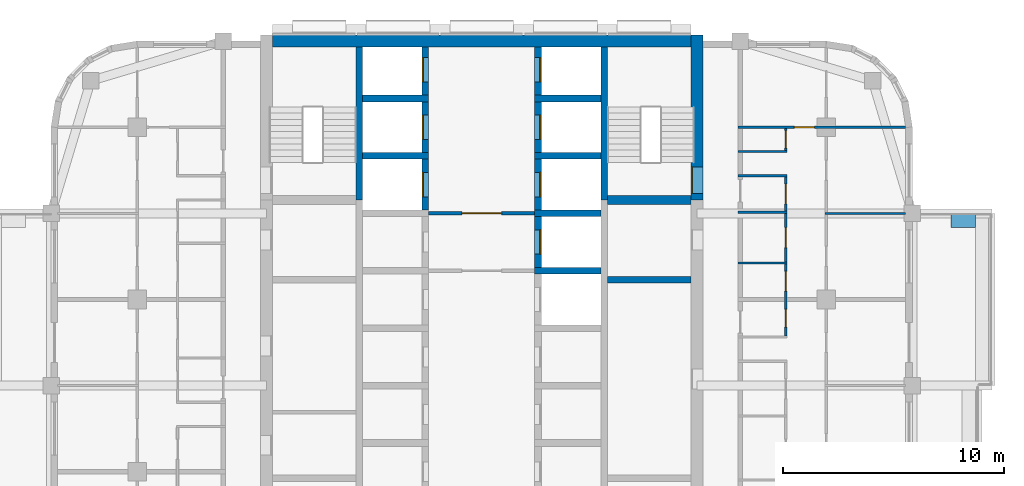
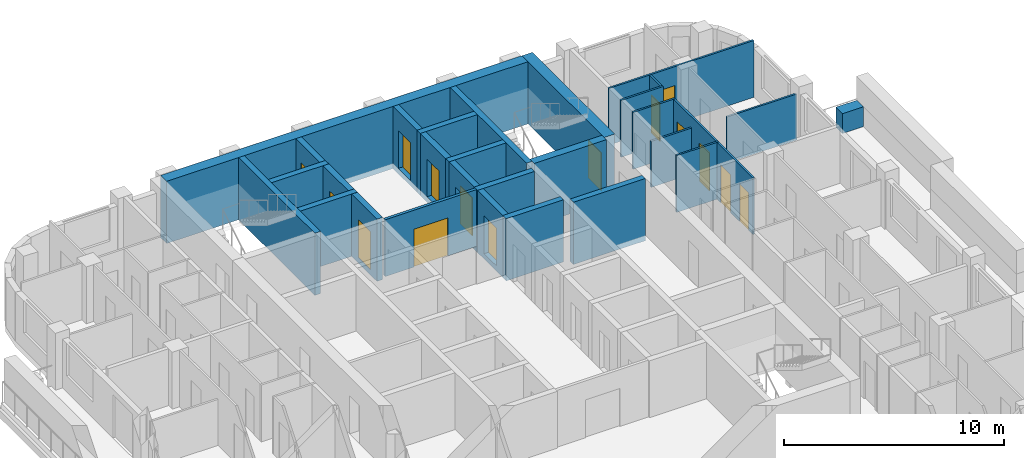
# One storey, part 8 of 13: 29 walls, 15 doors, 15 openings.
"""IFC4 building model written with IfcOpenShell, lengths in metres."""

import ifcopenshell
import ifcopenshell.guid

model = None  # the IFC model being written
_history = None  # IfcOwnerHistory: only IFC2X3 demands one
_inside = {}  # id of a spatial element -> (the spatial element, [elements in it])
_under = {}  # id of a project, library or spatial element -> (it, [spatial elements below it])
_declared = {}  # id of a project -> (the project, [libraries it declares])
_typed = {}  # id of a type object -> (the type object, [elements of that type])
_made_of = {}  # id of a material, layer set ... -> (it, [elements and type objects made of it])


def new_model(schema):
    """Start an empty IFC model of exactly this schema.

    Asked for "IFC4X3", IfcOpenShell would pick the latest addendum, in which some entities
    have other attributes; the version numbers below select the first issue.
    IFC2X3 requires an IfcOwnerHistory on every rooted entity: one is made here for all.
    """
    global model, _history
    if schema == "IFC4X3":
        model = ifcopenshell.file(schema_version=(4, 3, 0, 0))
    else:
        model = ifcopenshell.file(schema=schema)
    _inside.clear()
    _under.clear()
    _declared.clear()
    _typed.clear()
    _made_of.clear()
    _history = None
    if model.schema == "IFC2X3":
        org = make("IfcOrganization", Name="unknown")
        user = make(
            "IfcPersonAndOrganization",
            ThePerson=make("IfcPerson", FamilyName="unknown"),
            TheOrganization=org,
        )
        app = make(
            "IfcApplication",
            ApplicationDeveloper=org,
            Version="unknown",
            ApplicationFullName="unknown",
            ApplicationIdentifier="unknown",
        )
        _history = make(
            "IfcOwnerHistory",
            OwningUser=user,
            OwningApplication=app,
            ChangeAction="ADDED",
            CreationDate=0,
        )
    return model


def make(cls, **values):
    """One entity of the class cls with the attributes given. An attribute that is None is left unset."""
    return model.create_entity(
        cls, **{name: value for name, value in values.items() if value is not None}
    )


def rooted(cls, **values):
    """An entity with a GlobalId (a new one), such as an element, a storey or a relation."""
    return make(cls, GlobalId=ifcopenshell.guid.new(), OwnerHistory=_history, **values)


def si_unit(unit_type, name, prefix=None):
    """IfcSIUnit, for example si_unit("LENGTHUNIT", "METRE", prefix="MILLI")."""
    return make("IfcSIUnit", UnitType=unit_type, Prefix=prefix, Name=name)


def assignment(units):
    """IfcUnitAssignment: the units of a project."""
    return None if units is None else make("IfcUnitAssignment", Units=units)


def point(xyz):
    """IfcCartesianPoint."""
    return None if xyz is None else make("IfcCartesianPoint", Coordinates=xyz)


def direction(xyz):
    """IfcDirection."""
    return None if xyz is None else make("IfcDirection", DirectionRatios=xyz)


def frame(location, z_axis=None, x_axis=None):
    """IfcAxis2Placement3D, a coordinate frame: its origin and axes. An axis left out is left unset."""
    return make(
        "IfcAxis2Placement3D",
        Location=point(location),
        Axis=direction(z_axis),
        RefDirection=direction(x_axis),
    )


def frame_2d(location, x_axis=None):
    """IfcAxis2Placement2D, a coordinate frame in the plane: its origin and x axis."""
    return make(
        "IfcAxis2Placement2D", Location=point(location), RefDirection=direction(x_axis)
    )


def origin():
    """The frame at (0, 0, 0) with its axes left unset."""
    return frame((0.0, 0.0, 0.0))


def place(relative_to, where):
    """IfcLocalPlacement: puts the frame where relative to a parent placement (None: the world)."""
    return make(
        "IfcLocalPlacement", PlacementRelTo=relative_to, RelativePlacement=where
    )


def context(
    kind, dimensions, precision=None, world=None, true_north=None, identifier=None
):
    """IfcGeometricRepresentationContext, for example the 3D "Model" context."""
    return make(
        "IfcGeometricRepresentationContext",
        ContextIdentifier=identifier,
        ContextType=kind,
        CoordinateSpaceDimension=dimensions,
        Precision=precision,
        WorldCoordinateSystem=world,
        TrueNorth=true_north,
    )


def subcontext(parent, identifier, kind, view, scale=None):
    """IfcGeometricRepresentationSubContext, for example "Body" below "Model"."""
    return make(
        "IfcGeometricRepresentationSubContext",
        ContextIdentifier=identifier,
        ContextType=kind,
        ParentContext=parent,
        TargetScale=scale,
        TargetView=view,
    )


def project(units=None, contexts=None):
    """IfcProject with its units and contexts."""
    return rooted(
        "IfcProject",
        Name="project",
        RepresentationContexts=contexts,
        UnitsInContext=assignment(units),
    )


def spatial(cls, under=None, at=None, **own):
    """A site, building, storey or space (cls), placed at a placement, below another one or the project."""
    s = rooted(cls, ObjectPlacement=at, **own)
    if under is not None:
        _under.setdefault(under.id(), (under, []))[1].append(s)
    return s


def profile(cls, at=None, kind="AREA", **sizes):
    """A parametric profile (cls). Its sizes go by their IFC names, for example OverallWidth=200.0."""
    return make(cls, ProfileType=kind, Position=at, **sizes)


def rectangle(**sizes):
    """IfcRectangleProfileDef."""
    return profile("IfcRectangleProfileDef", **sizes)


def extrude(swept, where, along, depth):
    """IfcExtrudedAreaSolid: the profile swept, set in the frame where, extruded along a direction by depth."""
    return make(
        "IfcExtrudedAreaSolid",
        SweptArea=swept,
        Position=where,
        ExtrudedDirection=direction(along),
        Depth=depth,
    )


def shape(context_of_items, identifier, shape_type, items):
    """IfcShapeRepresentation: the items that make up one representation, for example the "Body"."""
    return make(
        "IfcShapeRepresentation",
        ContextOfItems=context_of_items,
        RepresentationIdentifier=identifier,
        RepresentationType=shape_type,
        Items=items,
    )


def material(Name=None, Category=None):
    """IfcMaterial."""
    return make("IfcMaterial", Name=Name, Category=Category)


def layer(
    of_material, thickness, ventilated=None, Name=None, Category=None, Priority=None
):
    """IfcMaterialLayer: one layer of a wall or slab, of a material (None: an air gap)."""
    return make(
        "IfcMaterialLayer",
        Material=of_material,
        LayerThickness=thickness,
        IsVentilated=ventilated,
        Name=Name,
        Category=Category,
        Priority=Priority,
    )


def layer_set(layers, Name=None):
    """IfcMaterialLayerSet."""
    return make("IfcMaterialLayerSet", MaterialLayers=layers, LayerSetName=Name)


def made_of(thing, what):
    """Note that an element or type object is made of a material, layer set ...; save() writes the relation."""
    if what is not None:
        _made_of.setdefault(what.id(), (what, []))[1].append(thing)
    return thing


def type_object(cls, material=None, **own):
    """A type object (cls), such as IfcWallType, which elements share."""
    return made_of(rooted(cls, **own), material)


def element(
    cls,
    number,
    at=None,
    inside=None,
    cuts=None,
    type_object=None,
    material=None,
    context=None,
    identifier="Body",
    shape_type=None,
    held_by="IfcProductDefinitionShape",
    body=None,
    shapes=None,
    **own,
):
    """One element of the class cls, such as IfcWall. Its Tag is "e" and its number.

    at: its placement. inside: the storey or other place that contains it. cuts: it is an
    opening in that element (IfcRelVoidsElement). A single representation is given by context,
    identifier, shape_type and body (its items); several are given by shapes. held_by: the class
    of the entity that holds the representations. save() writes the other relations.
    """
    e = rooted(cls, Tag="e%d" % number, ObjectPlacement=at, **own)
    if body is not None:
        shapes = [shape(context, identifier, shape_type, body)]
    if shapes is not None:
        e.Representation = make(held_by, Representations=shapes)
    if inside is not None:
        _inside.setdefault(inside.id(), (inside, []))[1].append(e)
    if cuts is not None:
        rooted(
            "IfcRelVoidsElement", RelatingBuildingElement=cuts, RelatedOpeningElement=e
        )
    if type_object is not None:
        _typed.setdefault(type_object.id(), (type_object, []))[1].append(e)
    return made_of(e, material)


def fill(opening, filler):
    """IfcRelFillsElement: the door or window that sits in an opening."""
    return rooted(
        "IfcRelFillsElement",
        RelatingOpeningElement=opening,
        RelatedBuildingElement=filler,
    )


def aggregate(whole, parts):
    """IfcRelAggregates: a whole, such as a stair, and the parts it consists of."""
    return rooted("IfcRelAggregates", RelatingObject=whole, RelatedObjects=parts)


def save(model, path):
    """Write the relations noted so far, then the file.

    IfcRelAggregates (storeys below a building ...), IfcRelContainedInSpatialStructure (elements
    in a storey), IfcRelDefinesByType, IfcRelAssociatesMaterial and IfcRelDeclares: one each for
    every whole, place, type object, material and project.
    """
    for whole, parts in _under.values():
        aggregate(whole, parts)
    for where, things in _inside.values():
        rooted(
            "IfcRelContainedInSpatialStructure",
            RelatedElements=things,
            RelatingStructure=where,
        )
    for kind, things in _typed.values():
        rooted("IfcRelDefinesByType", RelatedObjects=things, RelatingType=kind)
    for what, things in _made_of.values():
        rooted("IfcRelAssociatesMaterial", RelatedObjects=things, RelatingMaterial=what)
    for by, libraries in _declared.values():
        rooted("IfcRelDeclares", RelatingContext=by, RelatedDefinitions=libraries)
    model.write(path)


model = new_model("IFC4")

# Units and contexts
model_context = context("Model", 3, precision=1e-05, world=origin(), true_north=direction((0.0, 1.0)))
body_context = subcontext(model_context, "Body", "Model", "MODEL_VIEW")
ifc_project = project(units=[si_unit("LENGTHUNIT", "METRE"), si_unit("AREAUNIT", "SQUARE_METRE"), si_unit("VOLUMEUNIT", "CUBIC_METRE"), si_unit("PLANEANGLEUNIT", "RADIAN"), si_unit("MASSUNIT", "GRAM", prefix="KILO")], contexts=[model_context])

# Site, building, storey
site_placement = place(None, origin())
site = spatial("IfcSite", under=ifc_project, at=site_placement, CompositionType="ELEMENT")
building_placement = place(site_placement, origin())
building = spatial("IfcBuilding", under=site, at=building_placement, Name="Ludao Terraces", CompositionType="ELEMENT")
storey_placement = place(building_placement, frame((0.0, 0.0, 179.199951171875)))
storey = spatial("IfcBuildingStorey", under=building, at=storey_placement, Name="L48", CompositionType="ELEMENT", Elevation=179.199951171875)

# Wall, opening, door
ifc_material_1 = material(Name="Concrete C60", Category="concrete")
ifc_layer_1 = layer(ifc_material_1, 0.550048828125)
ifc_layer_set_1 = layer_set([ifc_layer_1], Name="Core wall 550 C60")
wall_type_1 = type_object("IfcWallType", Name="Core wall 550 C60", PredefinedType="SOLIDWALL", material=ifc_layer_set_1)
wall_1_placement = place(storey_placement, frame((94.75, 77.300048828125, -0.300048828125), z_axis=(0.0, 0.0, 1.0), x_axis=(0.0, 1.0, 0.0)))
wall_1 = element("IfcWall", 1, at=wall_1_placement, inside=storey, type_object=wall_type_1, Name="Core wall L48 outer-E-S2", PredefinedType="SOLIDWALL", context=body_context, shape_type="SweptSolid", body=[
    extrude(rectangle(XDim=7.474853515625, YDim=0.550048828125, at=frame_2d((3.7373046875, 0.0))), origin(), (0.0, 0.0, 1.0), 3.4501953125),
])
opening_1_placement = place(wall_1_placement, frame((0.300048828125, 0.0, 0.300048828125)))
opening_1 = element("IfcOpeningElement", 2, at=opening_1_placement, cuts=wall_1, Name="Opening R17-076", PredefinedType="OPENING", context=body_context, shape_type="SweptSolid", body=[
    extrude(rectangle(XDim=1.199951171875, YDim=2.10009765625, at=frame_2d((0.60009765625, 1.050048828125))), frame((0.0, 0.28515625, 0.0), z_axis=(0.0, -1.0, 0.0), x_axis=(1.0, 0.0, 0.0)), (0.0, 0.0, 1.0), 0.570068359375),
])
ifc_material_2 = material(Name="Steel Q235", Category="steel")
door_type_1 = type_object("IfcDoorType", Name="INT Stair door 1200", OperationType="DOUBLE_DOOR_SINGLE_SWING", PredefinedType="DOOR", material=ifc_material_2)
door_1_placement = place(opening_1_placement, origin())
door_1 = element("IfcDoor", 3, at=door_1_placement, inside=storey, type_object=door_type_1, Name="DOOR 076", OperationType="DOUBLE_DOOR_SINGLE_SWING", OverallHeight=2.10009765625, OverallWidth=1.199951171875, PredefinedType="DOOR", context=body_context, shape_type="SweptSolid", body=[
    extrude(rectangle(XDim=1.199951171875, YDim=2.10009765625, at=frame_2d((0.60009765625, 1.050048828125))), frame((0.0, 0.26025390625, 0.0), z_axis=(0.0, -1.0, 0.0), x_axis=(1.0, 0.0, 0.0)), (0.0, 0.0, 1.0), 0.050048828125),
])
fill(opening_1, door_1)

# Walls
wall_2_placement = place(storey_placement, frame((75.52490234375, 84.5, -0.300048828125), z_axis=(0.0, 0.0, 1.0), x_axis=(1.0, 0.0, 0.0)))
element("IfcWall", 4, at=wall_2_placement, inside=storey, type_object=wall_type_1, Name="Core wall L48 outer-N", PredefinedType="SOLIDWALL", context=body_context, shape_type="SweptSolid", body=[
    extrude(rectangle(XDim=18.9501953125, YDim=0.550048828125, at=frame_2d((9.47509765625, 0.0))), origin(), (0.0, 0.0, 1.0), 3.4501953125),
])
ifc_material_3 = material(Name="Concrete C40", Category="concrete")
ifc_layer_2 = layer(ifc_material_3, 0.60009765625)
ifc_layer_set_2 = layer_set([ifc_layer_2], Name="ENV Planter trough 600")
wall_type_2 = type_object("IfcWallType", Name="ENV Planter trough 600", PredefinedType="USERDEFINED", material=ifc_layer_set_2)
wall_3_placement = place(storey_placement, frame((107.35009765625, 76.35009765625, 0.0), z_axis=(0.0, 0.0, 1.0), x_axis=(-1.0, 0.0, 0.0)))
element("IfcWall", 5, at=wall_3_placement, inside=storey, type_object=wall_type_2, Name="PL-L48-E3-SB", ObjectType="PLANTER", PredefinedType="USERDEFINED", context=body_context, shape_type="SweptSolid", body=[
    extrude(rectangle(XDim=1.10009765625, YDim=0.60009765625, at=frame_2d((0.550048828125, 0.0))), origin(), (0.0, 0.0, 1.0), 1.10009765625),
])

# Wall, opening, door
ifc_material_4 = material(Name="Fire-rated gypsum plasterboard", Category="gypsum")
ifc_layer_3 = layer(ifc_material_4, 0.012451171875, Category="gypsum")
ifc_material_5 = material(Name="Mineral wool")
ifc_layer_4 = layer(ifc_material_5, 0.10009765625, Name="insulation")
ifc_layer_5 = layer(ifc_material_2, 0.02490234375, Name="stud")
ifc_layer_6 = layer(ifc_material_4, 0.012451171875, Category="gypsum")
ifc_layer_set_3 = layer_set([ifc_layer_3, ifc_layer_4, ifc_layer_5, ifc_layer_6], Name="INT Core partition 150")
wall_type_3 = type_object("IfcWallType", Name="INT Core partition 150", PredefinedType="PARTITIONING", material=ifc_layer_set_3)
wall_4_placement = place(storey_placement, frame((82.60009765625, 76.699951171875, 0.0), z_axis=(0.0, 0.0, 1.0), x_axis=(1.0, 0.0, 0.0)))
wall_4 = element("IfcWall", 6, at=wall_4_placement, inside=storey, type_object=wall_type_3, Name="PW-L48-PW037", PredefinedType="PARTITIONING", context=body_context, shape_type="SweptSolid", body=[
    extrude(rectangle(XDim=4.800048828125, YDim=0.14990234375, at=frame_2d((2.39990234375, 0.0))), origin(), (0.0, 0.0, 1.0), 3.150146484375),
])
opening_2_placement = place(wall_4_placement, frame((1.5, 0.0, 0.0)))
opening_2 = element("IfcOpeningElement", 7, at=opening_2_placement, cuts=wall_4, Name="Opening R17-070", PredefinedType="OPENING", context=body_context, shape_type="SweptSolid", body=[
    extrude(rectangle(XDim=1.800048828125, YDim=2.10009765625, at=frame_2d((0.89990234375, 1.050048828125))), frame((0.0, 0.0849609375, 0.0), z_axis=(0.0, -1.0, 0.0), x_axis=(1.0, 0.0, 0.0)), (0.0, 0.0, 1.0), 0.169921875),
])
door_type_2 = type_object("IfcDoorType", Name="INT Fire lobby door 1800", OperationType="DOUBLE_DOOR_SINGLE_SWING", PredefinedType="DOOR", material=ifc_material_2)
door_2_placement = place(opening_2_placement, origin())
door_2 = element("IfcDoor", 8, at=door_2_placement, inside=storey, type_object=door_type_2, Name="DOOR 070", OperationType="DOUBLE_DOOR_SINGLE_SWING", OverallHeight=2.10009765625, OverallWidth=1.800048828125, PredefinedType="DOOR", context=body_context, shape_type="SweptSolid", body=[
    extrude(rectangle(XDim=1.800048828125, YDim=2.10009765625, at=frame_2d((0.89990234375, 1.050048828125))), frame((0.0, 0.02490234375, 0.0), z_axis=(0.0, -1.0, 0.0), x_axis=(1.0, 0.0, 0.0)), (0.0, 0.0, 1.0), 0.050048828125),
])
fill(opening_2, door_2)

# Walls
ifc_material_6 = material(Name="Gypsum plasterboard", Category="gypsum")
ifc_layer_7 = layer(ifc_material_6, 0.012451171875, Category="gypsum")
ifc_layer_8 = layer(ifc_material_5, 0.06005859375, Name="insulation")
ifc_layer_9 = layer(ifc_material_2, 0.014892578125, Name="stud")
ifc_layer_10 = layer(ifc_material_6, 0.012451171875, Category="gypsum")
ifc_layer_set_4 = layer_set([ifc_layer_7, ifc_layer_8, ifc_layer_9, ifc_layer_10], Name="INT Partition 100")
wall_type_4 = type_object("IfcWallType", Name="INT Partition 100", PredefinedType="PARTITIONING", material=ifc_layer_set_4)
wall_5_placement = place(storey_placement, frame((96.60009765625, 74.449951171875, 0.0), z_axis=(0.0, 0.0, 1.0), x_axis=(1.0, 0.0, 0.0)))
element("IfcWall", 9, at=wall_5_placement, inside=storey, type_object=wall_type_4, Name="PW-L48-PW034", PredefinedType="PARTITIONING", context=body_context, shape_type="SweptSolid", body=[
    extrude(rectangle(XDim=2.219970703125, YDim=0.10009765625, at=frame_2d((1.10986328125, 0.0))), origin(), (0.0, 0.0, 1.0), 3.150146484375),
])
wall_6_placement = place(storey_placement, frame((100.550048828125, 76.699951171875, 0.0), z_axis=(0.0, 0.0, 1.0), x_axis=(1.0, 0.0, 0.0)))
element("IfcWall", 10, at=wall_6_placement, inside=storey, type_object=wall_type_4, Name="PW-L48-PW038", PredefinedType="PARTITIONING", context=body_context, shape_type="SweptSolid", body=[
    extrude(rectangle(XDim=3.650146484375, YDim=0.10009765625, at=frame_2d((1.8251953125, 0.0))), origin(), (0.0, 0.0, 1.0), 2.550048828125),
])
wall_7_placement = place(storey_placement, frame((96.60009765625, 76.75, 0.0), z_axis=(0.0, 0.0, 1.0), x_axis=(1.0, 0.0, 0.0)))
element("IfcWall", 11, at=wall_7_placement, inside=storey, type_object=wall_type_4, Name="PW-L48-PW039", PredefinedType="PARTITIONING", context=body_context, shape_type="SweptSolid", body=[
    extrude(rectangle(XDim=2.219970703125, YDim=0.10009765625, at=frame_2d((1.10986328125, 0.0))), origin(), (0.0, 0.0, 1.0), 2.550048828125),
])
for number, where, z_axis, x_axis, name in (
    (12, (96.60009765625, 78.39990234375, 0.0), (0.0, 0.0, 1.0), (1.0, 0.0, 0.0), "PW-L48-PW042"),
    (13, (96.60009765625, 79.5, 0.0), (0.0, 0.0, 1.0), (1.0, 0.0, 0.0), "PW-L48-PW043"),
):
    element("IfcWall", number, at=place(storey_placement, frame(where, z_axis=z_axis, x_axis=x_axis)), inside=storey, type_object=wall_type_4, Name=name, PredefinedType="PARTITIONING", context=body_context, shape_type="SweptSolid", body=[
        extrude(rectangle(XDim=2.219970703125, YDim=0.10009765625, at=frame_2d((1.10986328125, 0.0))), origin(), (0.0, 0.0, 1.0), 3.150146484375),
    ])

# Wall, opening, door
wall_8_placement = place(storey_placement, frame((96.60009765625, 80.60009765625, 0.0), z_axis=(0.0, 0.0, 1.0), x_axis=(1.0, 0.0, 0.0)))
wall_8 = element("IfcWall", 14, at=wall_8_placement, inside=storey, type_object=wall_type_4, Name="PW-L48-PW045", PredefinedType="PARTITIONING", context=body_context, shape_type="SweptSolid", body=[
    extrude(rectangle(XDim=7.60009765625, YDim=0.10009765625, at=frame_2d((3.800048828125, 0.0))), origin(), (0.0, 0.0, 1.0), 3.150146484375),
])
opening_3_placement = place(wall_8_placement, frame((2.56005859375, 0.0, 0.0)))
opening_3 = element("IfcOpeningElement", 15, at=opening_3_placement, cuts=wall_8, Name="Opening R17-085", PredefinedType="OPENING", context=body_context, shape_type="SweptSolid", body=[
    extrude(rectangle(XDim=0.89990234375, YDim=2.10009765625, at=frame_2d((0.449951171875, 1.050048828125))), frame((0.0, 0.06005859375, 0.0), z_axis=(0.0, -1.0, 0.0), x_axis=(1.0, 0.0, 0.0)), (0.0, 0.0, 1.0), 0.1201171875),
])
ifc_material_7 = material(Name="Timber door leaf", Category="wood")
door_type_3 = type_object("IfcDoorType", Name="INT Room door 900", OperationType="SINGLE_SWING_LEFT", PredefinedType="DOOR", material=ifc_material_7)
door_3_placement = place(opening_3_placement, origin())
door_3 = element("IfcDoor", 16, at=door_3_placement, inside=storey, type_object=door_type_3, Name="DOOR 085", OperationType="SINGLE_SWING_RIGHT", OverallHeight=2.10009765625, OverallWidth=0.89990234375, PredefinedType="DOOR", context=body_context, shape_type="SweptSolid", body=[
    extrude(rectangle(XDim=0.89990234375, YDim=2.10009765625, at=frame_2d((0.449951171875, 1.050048828125))), frame((0.0, 0.02490234375, 0.0), z_axis=(0.0, -1.0, 0.0), x_axis=(1.0, 0.0, 0.0)), (0.0, 0.0, 1.0), 0.050048828125),
])
fill(opening_3, door_3)

# Wall, openings, doors
wall_9_placement = place(storey_placement, frame((98.77001953125, 71.150146484375, 0.0), z_axis=(0.0, 0.0, 1.0), x_axis=(0.0, 1.0, 0.0)))
wall_9 = element("IfcWall", 17, at=wall_9_placement, inside=storey, type_object=wall_type_4, Name="PW-L48-PW059", PredefinedType="PARTITIONING", context=body_context, shape_type="SweptSolid", body=[
    extrude(rectangle(XDim=7.199951171875, YDim=0.10009765625, at=frame_2d((3.60009765625, 0.0))), origin(), (0.0, 0.0, 1.0), 3.150146484375),
])
opening_4_placement = place(wall_9_placement, frame((0.39990234375, 0.0, 0.0)))
opening_4 = element("IfcOpeningElement", 18, at=opening_4_placement, cuts=wall_9, Name="Opening R17-056", PredefinedType="OPENING", context=body_context, shape_type="SweptSolid", body=[
    extrude(rectangle(XDim=0.800048828125, YDim=2.10009765625, at=frame_2d((0.39990234375, 1.050048828125))), frame((0.0, 0.06005859375, 0.0), z_axis=(0.0, -1.0, 0.0), x_axis=(1.0, 0.0, 0.0)), (0.0, 0.0, 1.0), 0.1201171875),
])
opening_5_placement = place(wall_9_placement, frame((2.02490234375, 0.0, 0.0)))
opening_5 = element("IfcOpeningElement", 19, at=opening_5_placement, cuts=wall_9, Name="Opening R17-059", PredefinedType="OPENING", context=body_context, shape_type="SweptSolid", body=[
    extrude(rectangle(XDim=0.89990234375, YDim=2.10009765625, at=frame_2d((0.449951171875, 1.050048828125))), frame((0.0, 0.06005859375, 0.0), z_axis=(0.0, -1.0, 0.0), x_axis=(1.0, 0.0, 0.0)), (0.0, 0.0, 1.0), 0.1201171875),
])
opening_6_placement = place(wall_9_placement, frame((4.0, 0.0, 0.0)))
opening_6 = element("IfcOpeningElement", 20, at=opening_6_placement, cuts=wall_9, Name="Opening R17-068", PredefinedType="OPENING", context=body_context, shape_type="SweptSolid", body=[
    extrude(rectangle(XDim=0.89990234375, YDim=2.10009765625, at=frame_2d((0.449951171875, 1.050048828125))), frame((0.0, 0.06005859375, 0.0), z_axis=(0.0, -1.0, 0.0), x_axis=(1.0, 0.0, 0.0)), (0.0, 0.0, 1.0), 0.1201171875),
])
opening_7_placement = place(wall_9_placement, frame((5.97509765625, 0.0, 0.0)))
opening_7 = element("IfcOpeningElement", 21, at=opening_7_placement, cuts=wall_9, Name="Opening R17-071", PredefinedType="OPENING", context=body_context, shape_type="SweptSolid", body=[
    extrude(rectangle(XDim=0.89990234375, YDim=2.10009765625, at=frame_2d((0.449951171875, 1.050048828125))), frame((0.0, 0.06005859375, 0.0), z_axis=(0.0, -1.0, 0.0), x_axis=(1.0, 0.0, 0.0)), (0.0, 0.0, 1.0), 0.1201171875),
])
door_type_4 = type_object("IfcDoorType", Name="INT Bathroom door 900", OperationType="SINGLE_SWING_LEFT", PredefinedType="DOOR", material=ifc_material_7)
door_4_placement = place(opening_5_placement, origin())
door_4 = element("IfcDoor", 22, at=door_4_placement, inside=storey, type_object=door_type_4, Name="DOOR 059", OperationType="SINGLE_SWING_LEFT", OverallHeight=2.10009765625, OverallWidth=0.89990234375, PredefinedType="DOOR", context=body_context, shape_type="SweptSolid", body=[
    extrude(rectangle(XDim=0.89990234375, YDim=2.10009765625, at=frame_2d((0.449951171875, 1.050048828125))), frame((0.0, 0.02490234375, 0.0), z_axis=(0.0, -1.0, 0.0), x_axis=(1.0, 0.0, 0.0)), (0.0, 0.0, 1.0), 0.050048828125),
])
fill(opening_5, door_4)
door_5_placement = place(opening_7_placement, origin())
door_5 = element("IfcDoor", 23, at=door_5_placement, inside=storey, type_object=door_type_4, Name="DOOR 071", OperationType="SINGLE_SWING_RIGHT", OverallHeight=2.10009765625, OverallWidth=0.89990234375, PredefinedType="DOOR", context=body_context, shape_type="SweptSolid", body=[
    extrude(rectangle(XDim=0.89990234375, YDim=2.10009765625, at=frame_2d((0.449951171875, 1.050048828125))), frame((0.0, 0.02490234375, 0.0), z_axis=(0.0, -1.0, 0.0), x_axis=(1.0, 0.0, 0.0)), (0.0, 0.0, 1.0), 0.050048828125),
])
fill(opening_7, door_5)
door_6_placement = place(opening_6_placement, origin())
door_6 = element("IfcDoor", 24, at=door_6_placement, inside=storey, type_object=door_type_3, Name="DOOR 068", OperationType="SINGLE_SWING_RIGHT", OverallHeight=2.10009765625, OverallWidth=0.89990234375, PredefinedType="DOOR", context=body_context, shape_type="SweptSolid", body=[
    extrude(rectangle(XDim=0.89990234375, YDim=2.10009765625, at=frame_2d((0.449951171875, 1.050048828125))), frame((0.0, 0.02490234375, 0.0), z_axis=(0.0, -1.0, 0.0), x_axis=(1.0, 0.0, 0.0)), (0.0, 0.0, 1.0), 0.050048828125),
])
fill(opening_6, door_6)
door_type_5 = type_object("IfcDoorType", Name="INT Store door 800", OperationType="SINGLE_SWING_LEFT", PredefinedType="DOOR", material=ifc_material_7)
door_7_placement = place(opening_4_placement, origin())
door_7 = element("IfcDoor", 25, at=door_7_placement, inside=storey, type_object=door_type_5, Name="DOOR 056", OperationType="SINGLE_SWING_LEFT", OverallHeight=2.10009765625, OverallWidth=0.800048828125, PredefinedType="DOOR", context=body_context, shape_type="SweptSolid", body=[
    extrude(rectangle(XDim=0.800048828125, YDim=2.10009765625, at=frame_2d((0.39990234375, 1.050048828125))), frame((0.0, 0.02490234375, 0.0), z_axis=(0.0, -1.0, 0.0), x_axis=(1.0, 0.0, 0.0)), (0.0, 0.0, 1.0), 0.050048828125),
])
fill(opening_4, door_7)

# Wall, opening, door
wall_10_placement = place(storey_placement, frame((98.77001953125, 79.550048828125, 0.0), z_axis=(0.0, 0.0, 1.0), x_axis=(0.0, 1.0, 0.0)))
wall_10 = element("IfcWall", 26, at=wall_10_placement, inside=storey, type_object=wall_type_4, Name="PW-L48-PW060", PredefinedType="PARTITIONING", context=body_context, shape_type="SweptSolid", body=[
    extrude(rectangle(XDim=1.0, YDim=0.10009765625, at=frame_2d((0.5, 0.0))), origin(), (0.0, 0.0, 1.0), 3.150146484375),
])
opening_8_placement = place(wall_10_placement, frame((0.10009765625, 0.0, 0.0)))
opening_8 = element("IfcOpeningElement", 27, at=opening_8_placement, cuts=wall_10, Name="Opening R17-081", PredefinedType="OPENING", context=body_context, shape_type="SweptSolid", body=[
    extrude(rectangle(XDim=0.800048828125, YDim=2.10009765625, at=frame_2d((0.39990234375, 1.050048828125))), frame((0.0, 0.06005859375, 0.0), z_axis=(0.0, -1.0, 0.0), x_axis=(1.0, 0.0, 0.0)), (0.0, 0.0, 1.0), 0.1201171875),
])
door_8_placement = place(opening_8_placement, origin())
door_8 = element("IfcDoor", 28, at=door_8_placement, inside=storey, type_object=door_type_5, Name="DOOR 081", OperationType="SINGLE_SWING_RIGHT", OverallHeight=2.10009765625, OverallWidth=0.800048828125, PredefinedType="DOOR", context=body_context, shape_type="SweptSolid", body=[
    extrude(rectangle(XDim=0.800048828125, YDim=2.10009765625, at=frame_2d((0.39990234375, 1.050048828125))), frame((0.0, 0.02490234375, 0.0), z_axis=(0.0, -1.0, 0.0), x_axis=(1.0, 0.0, 0.0)), (0.0, 0.0, 1.0), 0.050048828125),
])
fill(opening_8, door_8)

# Walls
ifc_material_8 = material(Name="Concrete C55", Category="concrete")
ifc_layer_11 = layer(ifc_material_8, 0.300048828125)
ifc_layer_set_5 = layer_set([ifc_layer_11], Name="Shaft wall 300 C55")
wall_type_5 = type_object("IfcWallType", Name="Shaft wall 300 C55", PredefinedType="SOLIDWALL", material=ifc_layer_set_5)
for number, where, z_axis, x_axis, name in (
    (29, (79.449951171875, 77.300048828125, -0.300048828125), (0.0, 0.0, 1.0), (0.0, 1.0, 0.0), "Core wall L48 back-W-S1"),
    (30, (90.550048828125, 77.300048828125, -0.300048828125), (0.0, 0.0, 1.0), (0.0, 1.0, 0.0), "Core wall L48 back-E-S2"),
):
    element("IfcWall", number, at=place(storey_placement, frame(where, z_axis=z_axis, x_axis=x_axis)), inside=storey, type_object=wall_type_5, Name=name, PredefinedType="SOLIDWALL", context=body_context, shape_type="SweptSolid", body=[
        extrude(rectangle(XDim=6.925048828125, YDim=0.300048828125, at=frame_2d((3.46240234375, 0.0))), origin(), (0.0, 0.0, 1.0), 3.4501953125),
    ])

# Wall, opening, door
wall_11_placement = place(storey_placement, frame((82.449951171875, 76.85009765625, -0.300048828125), z_axis=(0.0, 0.0, 1.0), x_axis=(0.0, 1.0, 0.0)))
wall_11 = element("IfcWall", 31, at=wall_11_placement, inside=storey, type_object=wall_type_5, Name="Core wall L48 front-W7", PredefinedType="SOLIDWALL", context=body_context, shape_type="SweptSolid", body=[
    extrude(rectangle(XDim=2.2998046875, YDim=0.300048828125, at=frame_2d((1.14990234375, 0.0))), origin(), (0.0, 0.0, 1.0), 3.4501953125),
])
opening_9_placement = place(wall_11_placement, frame((0.60009765625, 0.0, 0.300048828125)))
opening_9 = element("IfcOpeningElement", 32, at=opening_9_placement, cuts=wall_11, Name="Opening LD-FF1", PredefinedType="OPENING", context=body_context, shape_type="SweptSolid", body=[
    extrude(rectangle(XDim=1.10009765625, YDim=2.10009765625, at=frame_2d((0.550048828125, 1.050048828125))), frame((0.0, 0.16015625, 0.0), z_axis=(0.0, -1.0, 0.0), x_axis=(1.0, 0.0, 0.0)), (0.0, 0.0, 1.0), 0.320068359375),
])
ifc_material_9 = material(Name="Stainless steel 304", Category="steel")
door_type_6 = type_object("IfcDoorType", Name="INT Lift landing door 1100", OperationType="SLIDING_TO_LEFT", PredefinedType="DOOR", material=ifc_material_9)
door_9_placement = place(opening_9_placement, origin())
door_9 = element("IfcDoor", 33, at=door_9_placement, inside=storey, type_object=door_type_6, Name="LANDING DOOR FF1 L48", OperationType="SLIDING_TO_LEFT", OverallHeight=2.10009765625, OverallWidth=1.10009765625, PredefinedType="DOOR", context=body_context, shape_type="SweptSolid", body=[
    extrude(rectangle(XDim=1.10009765625, YDim=2.10009765625, at=frame_2d((0.550048828125, 1.050048828125))), frame((0.0, 0.13525390625, 0.0), z_axis=(0.0, -1.0, 0.0), x_axis=(1.0, 0.0, 0.0)), (0.0, 0.0, 1.0), 0.050048828125),
])
fill(opening_9, door_9)

# Wall
wall_12_placement = place(storey_placement, frame((79.60009765625, 79.300048828125, -0.300048828125), z_axis=(0.0, 0.0, 1.0), x_axis=(1.0, 0.0, 0.0)))
element("IfcWall", 34, at=wall_12_placement, inside=storey, type_object=wall_type_5, Name="Core wall L48 div-W8", PredefinedType="SOLIDWALL", context=body_context, shape_type="SweptSolid", body=[
    extrude(rectangle(XDim=3.0, YDim=0.300048828125, at=frame_2d((1.5, 0.0))), origin(), (0.0, 0.0, 1.0), 3.4501953125),
])

# Wall, opening, door
wall_13_placement = place(storey_placement, frame((82.449951171875, 79.449951171875, -0.300048828125), z_axis=(0.0, 0.0, 1.0), x_axis=(0.0, 1.0, 0.0)))
wall_13 = element("IfcWall", 35, at=wall_13_placement, inside=storey, type_object=wall_type_5, Name="Core wall L48 front-W8", PredefinedType="SOLIDWALL", context=body_context, shape_type="SweptSolid", body=[
    extrude(rectangle(XDim=2.300048828125, YDim=0.300048828125, at=frame_2d((1.14990234375, 0.0))), origin(), (0.0, 0.0, 1.0), 3.4501953125),
])
opening_10_placement = place(wall_13_placement, frame((0.60009765625, 0.0, 0.300048828125)))
opening_10 = element("IfcOpeningElement", 36, at=opening_10_placement, cuts=wall_13, Name="Opening LD-FF2", PredefinedType="OPENING", context=body_context, shape_type="SweptSolid", body=[
    extrude(rectangle(XDim=1.10009765625, YDim=2.10009765625, at=frame_2d((0.550048828125, 1.050048828125))), frame((0.0, 0.16015625, 0.0), z_axis=(0.0, -1.0, 0.0), x_axis=(1.0, 0.0, 0.0)), (0.0, 0.0, 1.0), 0.320068359375),
])
door_10_placement = place(opening_10_placement, origin())
door_10 = element("IfcDoor", 37, at=door_10_placement, inside=storey, type_object=door_type_6, Name="LANDING DOOR FF2 L48", OperationType="SLIDING_TO_LEFT", OverallHeight=2.10009765625, OverallWidth=1.10009765625, PredefinedType="DOOR", context=body_context, shape_type="SweptSolid", body=[
    extrude(rectangle(XDim=1.10009765625, YDim=2.10009765625, at=frame_2d((0.550048828125, 1.050048828125))), frame((0.0, 0.13525390625, 0.0), z_axis=(0.0, -1.0, 0.0), x_axis=(1.0, 0.0, 0.0)), (0.0, 0.0, 1.0), 0.050048828125),
])
fill(opening_10, door_10)

# Wall
wall_14_placement = place(storey_placement, frame((79.60009765625, 81.89990234375, -0.300048828125), z_axis=(0.0, 0.0, 1.0), x_axis=(1.0, 0.0, 0.0)))
element("IfcWall", 38, at=wall_14_placement, inside=storey, type_object=wall_type_5, Name="Core wall L48 div-W9", PredefinedType="SOLIDWALL", context=body_context, shape_type="SweptSolid", body=[
    extrude(rectangle(XDim=3.0, YDim=0.300048828125, at=frame_2d((1.5, 0.0))), origin(), (0.0, 0.0, 1.0), 3.4501953125),
])

# Wall, opening, door
wall_15_placement = place(storey_placement, frame((82.449951171875, 82.050048828125, -0.300048828125), z_axis=(0.0, 0.0, 1.0), x_axis=(0.0, 1.0, 0.0)))
wall_15 = element("IfcWall", 39, at=wall_15_placement, inside=storey, type_object=wall_type_5, Name="Core wall L48 front-W9", PredefinedType="SOLIDWALL", context=body_context, shape_type="SweptSolid", body=[
    extrude(rectangle(XDim=2.175048828125, YDim=0.300048828125, at=frame_2d((1.08740234375, 0.0))), origin(), (0.0, 0.0, 1.0), 3.4501953125),
])
opening_11_placement = place(wall_15_placement, frame((0.60009765625, 0.0, 0.300048828125)))
opening_11 = element("IfcOpeningElement", 40, at=opening_11_placement, cuts=wall_15, Name="Opening LD-LB6", PredefinedType="OPENING", context=body_context, shape_type="SweptSolid", body=[
    extrude(rectangle(XDim=1.10009765625, YDim=2.10009765625, at=frame_2d((0.550048828125, 1.050048828125))), frame((0.0, 0.16015625, 0.0), z_axis=(0.0, -1.0, 0.0), x_axis=(1.0, 0.0, 0.0)), (0.0, 0.0, 1.0), 0.320068359375),
])
door_11_placement = place(opening_11_placement, origin())
door_11 = element("IfcDoor", 41, at=door_11_placement, inside=storey, type_object=door_type_6, Name="LANDING DOOR LB6 L48", OperationType="SLIDING_TO_RIGHT", OverallHeight=2.10009765625, OverallWidth=1.10009765625, PredefinedType="DOOR", context=body_context, shape_type="SweptSolid", body=[
    extrude(rectangle(XDim=1.10009765625, YDim=2.10009765625, at=frame_2d((0.550048828125, 1.050048828125))), frame((0.0, 0.13525390625, 0.0), z_axis=(0.0, -1.0, 0.0), x_axis=(1.0, 0.0, 0.0)), (0.0, 0.0, 1.0), 0.050048828125),
])
fill(opening_11, door_11)

# Wall
wall_16_placement = place(storey_placement, frame((87.39990234375, 74.10009765625, -0.300048828125), z_axis=(0.0, 0.0, 1.0), x_axis=(1.0, 0.0, 0.0)))
element("IfcWall", 42, at=wall_16_placement, inside=storey, type_object=wall_type_5, Name="Core wall L48 div-E6", PredefinedType="SOLIDWALL", context=body_context, shape_type="SweptSolid", body=[
    extrude(rectangle(XDim=3.0, YDim=0.300048828125, at=frame_2d((1.5, 0.0))), origin(), (0.0, 0.0, 1.0), 3.4501953125),
])

# Wall, opening, door
wall_17_placement = place(storey_placement, frame((87.550048828125, 74.25, -0.300048828125), z_axis=(0.0, 0.0, 1.0), x_axis=(0.0, 1.0, 0.0)))
wall_17 = element("IfcWall", 43, at=wall_17_placement, inside=storey, type_object=wall_type_5, Name="Core wall L48 front-E6", PredefinedType="SOLIDWALL", context=body_context, shape_type="SweptSolid", body=[
    extrude(rectangle(XDim=2.300048828125, YDim=0.300048828125, at=frame_2d((1.14990234375, 0.0))), origin(), (0.0, 0.0, 1.0), 3.4501953125),
])
opening_12_placement = place(wall_17_placement, frame((0.60009765625, 0.0, 0.300048828125)))
opening_12 = element("IfcOpeningElement", 44, at=opening_12_placement, cuts=wall_17, Name="Opening LD-LB2", PredefinedType="OPENING", context=body_context, shape_type="SweptSolid", body=[
    extrude(rectangle(XDim=1.10009765625, YDim=2.10009765625, at=frame_2d((0.550048828125, 1.050048828125))), frame((0.0, 0.16015625, 0.0), z_axis=(0.0, -1.0, 0.0), x_axis=(1.0, 0.0, 0.0)), (0.0, 0.0, 1.0), 0.320068359375),
])
door_12_placement = place(opening_12_placement, origin())
door_12 = element("IfcDoor", 45, at=door_12_placement, inside=storey, type_object=door_type_6, Name="LANDING DOOR LB2 L48", OperationType="SLIDING_TO_LEFT", OverallHeight=2.10009765625, OverallWidth=1.10009765625, PredefinedType="DOOR", context=body_context, shape_type="SweptSolid", body=[
    extrude(rectangle(XDim=1.10009765625, YDim=2.10009765625, at=frame_2d((0.550048828125, 1.050048828125))), frame((0.0, -0.0849609375, 0.0), z_axis=(0.0, -1.0, 0.0), x_axis=(1.0, 0.0, 0.0)), (0.0, 0.0, 1.0), 0.050048828125),
])
fill(opening_12, door_12)

# Wall
wall_18_placement = place(storey_placement, frame((87.39990234375, 76.699951171875, -0.300048828125), z_axis=(0.0, 0.0, 1.0), x_axis=(1.0, 0.0, 0.0)))
element("IfcWall", 46, at=wall_18_placement, inside=storey, type_object=wall_type_5, Name="Core wall L48 div-E7", PredefinedType="SOLIDWALL", context=body_context, shape_type="SweptSolid", body=[
    extrude(rectangle(XDim=3.0, YDim=0.300048828125, at=frame_2d((1.5, 0.0))), origin(), (0.0, 0.0, 1.0), 3.4501953125),
])

# Wall, opening, door
wall_19_placement = place(storey_placement, frame((87.550048828125, 76.85009765625, -0.300048828125), z_axis=(0.0, 0.0, 1.0), x_axis=(0.0, 1.0, 0.0)))
wall_19 = element("IfcWall", 47, at=wall_19_placement, inside=storey, type_object=wall_type_5, Name="Core wall L48 front-E7", PredefinedType="SOLIDWALL", context=body_context, shape_type="SweptSolid", body=[
    extrude(rectangle(XDim=2.2998046875, YDim=0.300048828125, at=frame_2d((1.14990234375, 0.0))), origin(), (0.0, 0.0, 1.0), 3.4501953125),
])
opening_13_placement = place(wall_19_placement, frame((0.60009765625, 0.0, 0.300048828125)))
opening_13 = element("IfcOpeningElement", 48, at=opening_13_placement, cuts=wall_19, Name="Opening LD-LB3", PredefinedType="OPENING", context=body_context, shape_type="SweptSolid", body=[
    extrude(rectangle(XDim=1.10009765625, YDim=2.10009765625, at=frame_2d((0.550048828125, 1.050048828125))), frame((0.0, 0.16015625, 0.0), z_axis=(0.0, -1.0, 0.0), x_axis=(1.0, 0.0, 0.0)), (0.0, 0.0, 1.0), 0.320068359375),
])
door_13_placement = place(opening_13_placement, origin())
door_13 = element("IfcDoor", 49, at=door_13_placement, inside=storey, type_object=door_type_6, Name="LANDING DOOR LB3 L48", OperationType="SLIDING_TO_LEFT", OverallHeight=2.10009765625, OverallWidth=1.10009765625, PredefinedType="DOOR", context=body_context, shape_type="SweptSolid", body=[
    extrude(rectangle(XDim=1.10009765625, YDim=2.10009765625, at=frame_2d((0.550048828125, 1.050048828125))), frame((0.0, -0.0849609375, 0.0), z_axis=(0.0, -1.0, 0.0), x_axis=(1.0, 0.0, 0.0)), (0.0, 0.0, 1.0), 0.050048828125),
])
fill(opening_13, door_13)

# Wall
wall_20_placement = place(storey_placement, frame((87.39990234375, 79.300048828125, -0.300048828125), z_axis=(0.0, 0.0, 1.0), x_axis=(1.0, 0.0, 0.0)))
element("IfcWall", 50, at=wall_20_placement, inside=storey, type_object=wall_type_5, Name="Core wall L48 div-E8", PredefinedType="SOLIDWALL", context=body_context, shape_type="SweptSolid", body=[
    extrude(rectangle(XDim=3.0, YDim=0.300048828125, at=frame_2d((1.5, 0.0))), origin(), (0.0, 0.0, 1.0), 3.4501953125),
])

# Wall, opening, door
wall_21_placement = place(storey_placement, frame((87.550048828125, 79.449951171875, -0.300048828125), z_axis=(0.0, 0.0, 1.0), x_axis=(0.0, 1.0, 0.0)))
wall_21 = element("IfcWall", 51, at=wall_21_placement, inside=storey, type_object=wall_type_5, Name="Core wall L48 front-E8", PredefinedType="SOLIDWALL", context=body_context, shape_type="SweptSolid", body=[
    extrude(rectangle(XDim=2.300048828125, YDim=0.300048828125, at=frame_2d((1.14990234375, 0.0))), origin(), (0.0, 0.0, 1.0), 3.4501953125),
])
opening_14_placement = place(wall_21_placement, frame((0.60009765625, 0.0, 0.300048828125)))
opening_14 = element("IfcOpeningElement", 52, at=opening_14_placement, cuts=wall_21, Name="Opening LD-LB4", PredefinedType="OPENING", context=body_context, shape_type="SweptSolid", body=[
    extrude(rectangle(XDim=1.10009765625, YDim=2.10009765625, at=frame_2d((0.550048828125, 1.050048828125))), frame((0.0, 0.16015625, 0.0), z_axis=(0.0, -1.0, 0.0), x_axis=(1.0, 0.0, 0.0)), (0.0, 0.0, 1.0), 0.320068359375),
])
door_14_placement = place(opening_14_placement, origin())
door_14 = element("IfcDoor", 53, at=door_14_placement, inside=storey, type_object=door_type_6, Name="LANDING DOOR LB4 L48", OperationType="SLIDING_TO_RIGHT", OverallHeight=2.10009765625, OverallWidth=1.10009765625, PredefinedType="DOOR", context=body_context, shape_type="SweptSolid", body=[
    extrude(rectangle(XDim=1.10009765625, YDim=2.10009765625, at=frame_2d((0.550048828125, 1.050048828125))), frame((0.0, -0.0849609375, 0.0), z_axis=(0.0, -1.0, 0.0), x_axis=(1.0, 0.0, 0.0)), (0.0, 0.0, 1.0), 0.050048828125),
])
fill(opening_14, door_14)

# Wall
wall_22_placement = place(storey_placement, frame((87.39990234375, 81.89990234375, -0.300048828125), z_axis=(0.0, 0.0, 1.0), x_axis=(1.0, 0.0, 0.0)))
element("IfcWall", 54, at=wall_22_placement, inside=storey, type_object=wall_type_5, Name="Core wall L48 div-E9", PredefinedType="SOLIDWALL", context=body_context, shape_type="SweptSolid", body=[
    extrude(rectangle(XDim=3.0, YDim=0.300048828125, at=frame_2d((1.5, 0.0))), origin(), (0.0, 0.0, 1.0), 3.4501953125),
])

# Wall, opening, door
wall_23_placement = place(storey_placement, frame((87.550048828125, 82.050048828125, -0.300048828125), z_axis=(0.0, 0.0, 1.0), x_axis=(0.0, 1.0, 0.0)))
wall_23 = element("IfcWall", 55, at=wall_23_placement, inside=storey, type_object=wall_type_5, Name="Core wall L48 front-E9", PredefinedType="SOLIDWALL", context=body_context, shape_type="SweptSolid", body=[
    extrude(rectangle(XDim=2.175048828125, YDim=0.300048828125, at=frame_2d((1.08740234375, 0.0))), origin(), (0.0, 0.0, 1.0), 3.4501953125),
])
opening_15_placement = place(wall_23_placement, frame((0.60009765625, 0.0, 0.300048828125)))
opening_15 = element("IfcOpeningElement", 56, at=opening_15_placement, cuts=wall_23, Name="Opening LD-LB5", PredefinedType="OPENING", context=body_context, shape_type="SweptSolid", body=[
    extrude(rectangle(XDim=1.10009765625, YDim=2.10009765625, at=frame_2d((0.550048828125, 1.050048828125))), frame((0.0, 0.16015625, 0.0), z_axis=(0.0, -1.0, 0.0), x_axis=(1.0, 0.0, 0.0)), (0.0, 0.0, 1.0), 0.320068359375),
])
door_15_placement = place(opening_15_placement, origin())
door_15 = element("IfcDoor", 57, at=door_15_placement, inside=storey, type_object=door_type_6, Name="LANDING DOOR LB5 L48", OperationType="SLIDING_TO_RIGHT", OverallHeight=2.10009765625, OverallWidth=1.10009765625, PredefinedType="DOOR", context=body_context, shape_type="SweptSolid", body=[
    extrude(rectangle(XDim=1.10009765625, YDim=2.10009765625, at=frame_2d((0.550048828125, 1.050048828125))), frame((0.0, -0.0849609375, 0.0), z_axis=(0.0, -1.0, 0.0), x_axis=(1.0, 0.0, 0.0)), (0.0, 0.0, 1.0), 0.050048828125),
])
fill(opening_15, door_15)

# Walls
wall_24_placement = place(storey_placement, frame((90.699951171875, 73.699951171875, -0.300048828125), z_axis=(0.0, 0.0, 1.0), x_axis=(1.0, 0.0, 0.0)))
element("IfcWall", 58, at=wall_24_placement, inside=storey, type_object=wall_type_5, Name="Core wall L48 riser-b-E", PredefinedType="SOLIDWALL", context=body_context, shape_type="SweptSolid", body=[
    extrude(rectangle(XDim=3.775146484375, YDim=0.300048828125, at=frame_2d((1.8876953125, 0.0))), origin(), (0.0, 0.0, 1.0), 3.4501953125),
])
ifc_layer_12 = layer(ifc_material_8, 0.39990234375)
ifc_layer_set_6 = layer_set([ifc_layer_12], Name="Shaft wall 400 C55")
wall_type_6 = type_object("IfcWallType", Name="Shaft wall 400 C55", PredefinedType="SOLIDWALL", material=ifc_layer_set_6)
wall_25_placement = place(storey_placement, frame((90.699951171875, 77.300048828125, -0.300048828125), z_axis=(0.0, 0.0, 1.0), x_axis=(1.0, 0.0, 0.0)))
element("IfcWall", 59, at=wall_25_placement, inside=storey, type_object=wall_type_6, Name="Core wall L48 stair-E", PredefinedType="SOLIDWALL", context=body_context, shape_type="SweptSolid", body=[
    extrude(rectangle(XDim=3.775146484375, YDim=0.39990234375, at=frame_2d((1.8876953125, 0.0))), origin(), (0.0, 0.0, 1.0), 3.4501953125),
])

save(model, "model.ifc")
